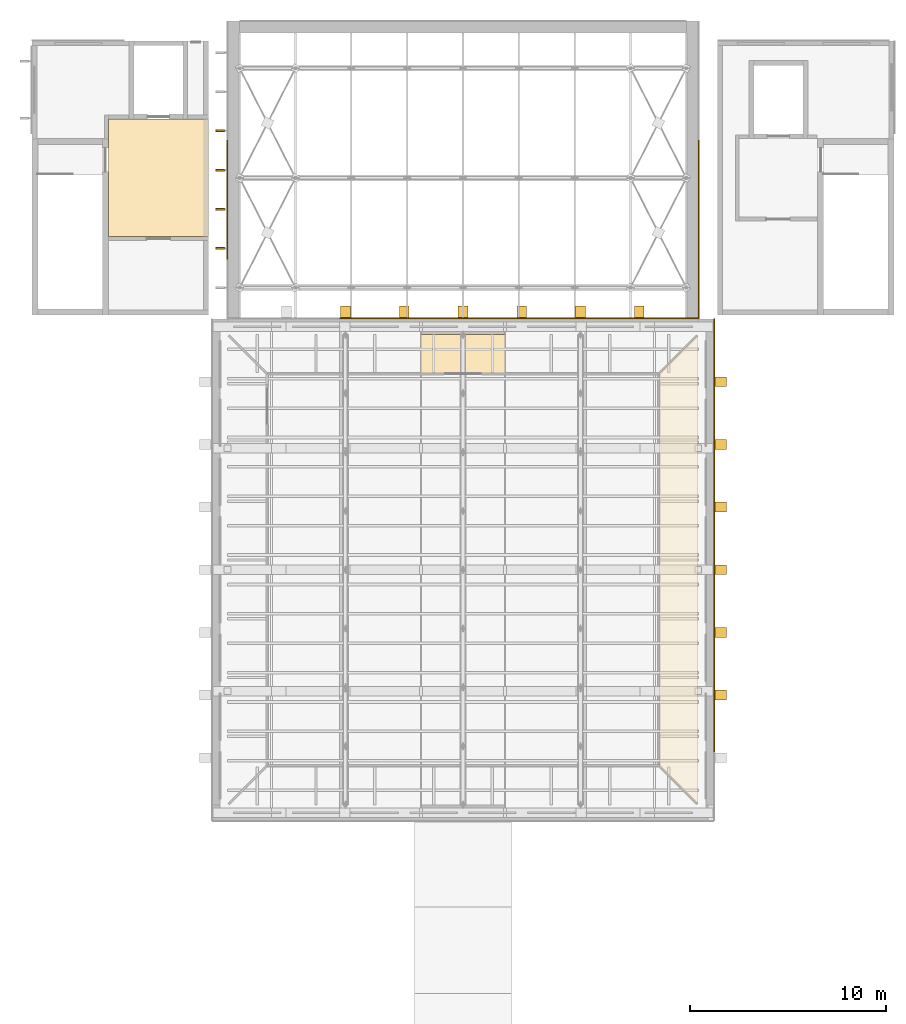
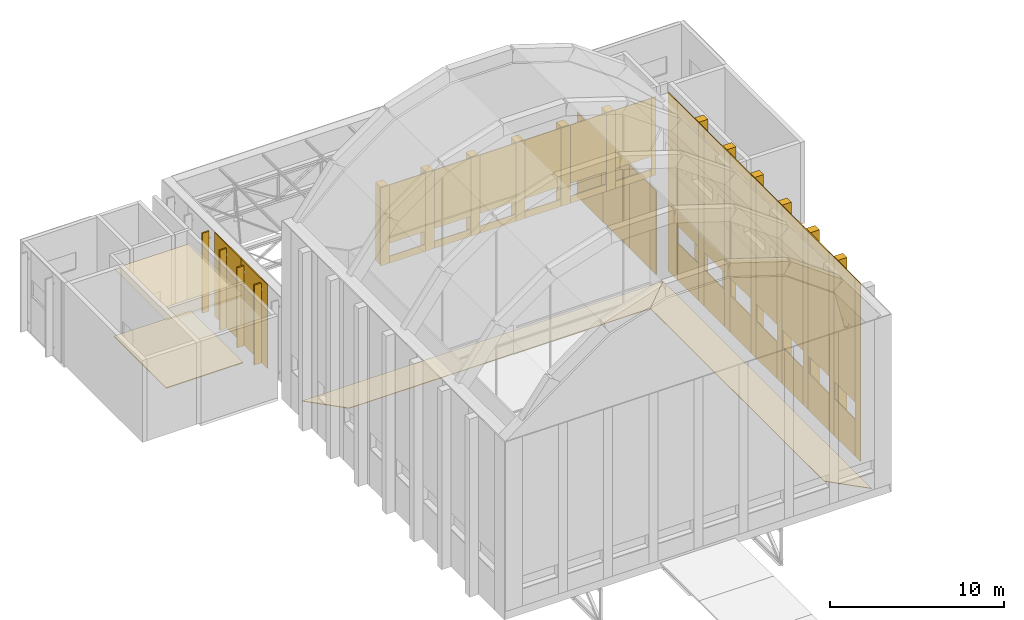
# One storey, part 54 of 55: 62 coverings, 4 shading devices.
"""IFC4 building model written with IfcOpenShell, lengths in metres."""

from ifc_helpers import new_model, si_unit, direction, frame, origin, origin_2d, place, context, subcontext, project, spatial, polyline, rectangle, outline, extrude, material, layer, layer_set, type_object, element, save


model = new_model("IFC4")

# Units and contexts
model_context = context("Model", 3, precision=1e-05, world=origin(), true_north=direction((0.0, 1.0)))
body_context = subcontext(model_context, "Body", "Model", "MODEL_VIEW")
ifc_project = project(units=[si_unit("LENGTHUNIT", "METRE"), si_unit("AREAUNIT", "SQUARE_METRE"), si_unit("VOLUMEUNIT", "CUBIC_METRE"), si_unit("PLANEANGLEUNIT", "RADIAN"), si_unit("MASSUNIT", "GRAM", prefix="KILO")], contexts=[model_context])

# Site, building, storey
site_placement = place(None, origin())
site = spatial("IfcSite", under=ifc_project, at=site_placement, CompositionType="ELEMENT")
building_placement = place(site_placement, origin())
building = spatial("IfcBuilding", under=site, at=building_placement, Name="Lunette Opera House", CompositionType="ELEMENT")
storey_placement = place(building_placement, frame((0.0, 0.0, 34.0)))
storey = spatial("IfcBuildingStorey", under=building, at=storey_placement, Name="L06", CompositionType="ELEMENT", Elevation=34.0)

# Shading devices
ifc_material_1 = material(Name="Powder-coated aluminium", Category="aluminium")
shading_device_type = type_object("IfcShadingDeviceType", Name="SOLAR FIN 100 X 450", PredefinedType="USERDEFINED", material=ifc_material_1)
for number, where, z_axis, x_axis, name in (
    (1, (83.614990234375, 124.39990234375, 0.11474609375), (0.0, 0.0, 1.0), (-1.0, 0.0, 0.0), "Solar fin ST-W090 2"),
    (2, (83.614990234375, 126.39990234375, 0.11474609375), (0.0, 0.0, 1.0), (-1.0, 0.0, 0.0), "Solar fin ST-W090 3"),
    (3, (83.614990234375, 128.39990234375, 0.11474609375), (0.0, 0.0, 1.0), (-1.0, 0.0, 0.0), "Solar fin ST-W090 4"),
    (4, (83.614990234375, 130.39990234375, 0.11474609375), (0.0, 0.0, 1.0), (-1.0, 0.0, 0.0), "Solar fin ST-W090 5"),
):
    element("IfcShadingDevice", number, at=place(storey_placement, frame(where, z_axis=z_axis, x_axis=x_axis)), inside=storey, type_object=shading_device_type, Name=name, ObjectType="SOLAR FIN", PredefinedType="USERDEFINED", context=body_context, shape_type="SweptSolid", body=[
        extrude(rectangle(XDim=0.449951171875, YDim=0.10009765625, at=origin_2d()), origin(), (0.0, 0.0, 1.0), 5.614990234375),
    ])

# Coverings
ifc_material_2 = material(Name="Aluminium standing seam cladding", Category="aluminium")
ifc_layer_1 = layer(ifc_material_2, 0.06005859375)
ifc_layer_set_1 = layer_set([ifc_layer_1], Name="Aluminium standing seam cladding")
covering_type_1 = type_object("IfcCoveringType", Name="STANDING SEAM CLADDING 60", PredefinedType="CLADDING", material=ifc_layer_set_1)
covering_1_placement = place(storey_placement, frame((108.830078125, 99.0, 0.0), z_axis=(0.0, 0.0, 1.0), x_axis=(0.0, 1.0, 0.0)))
element("IfcCovering", 5, at=covering_1_placement, inside=storey, type_object=covering_type_1, Name="Standing seam cladding WE L06 20", PredefinedType="CLADDING", context=body_context, shape_type="SweptSolid", body=[
    extrude(rectangle(XDim=0.60009765625, YDim=0.06005859375, at=origin_2d()), origin(), (0.0, 0.0, 1.0), 12.5),
])
covering_2_placement = place(storey_placement, frame((108.830078125, 100.5, 0.0), z_axis=(0.0, 0.0, 1.0), x_axis=(0.0, 1.0, 0.0)))
element("IfcCovering", 6, at=covering_2_placement, inside=storey, type_object=covering_type_1, Name="Standing seam cladding WE L06 30", PredefinedType="CLADDING", context=body_context, shape_type="SweptSolid", body=[
    extrude(rectangle(XDim=2.39990234375, YDim=0.06005859375, at=origin_2d()), origin(), (0.0, 0.0, 1.0), 2.60009765625),
])
covering_3_placement = place(storey_placement, frame((108.830078125, 100.5, 3.7998046875), z_axis=(0.0, 0.0, 1.0), x_axis=(0.0, 1.0, 0.0)))
element("IfcCovering", 7, at=covering_3_placement, inside=storey, type_object=covering_type_1, Name="Standing seam cladding WE L06 31", PredefinedType="CLADDING", context=body_context, shape_type="SweptSolid", body=[
    extrude(rectangle(XDim=2.39990234375, YDim=0.06005859375, at=origin_2d()), origin(), (0.0, 0.0, 1.0), 8.699951171875),
])
covering_4_placement = place(storey_placement, frame((108.830078125, 102.0, 0.0), z_axis=(0.0, 0.0, 1.0), x_axis=(0.0, 1.0, 0.0)))
element("IfcCovering", 8, at=covering_4_placement, inside=storey, type_object=covering_type_1, Name="Standing seam cladding WE L06 40", PredefinedType="CLADDING", context=body_context, shape_type="SweptSolid", body=[
    extrude(rectangle(XDim=0.60009765625, YDim=0.06005859375, at=origin_2d()), origin(), (0.0, 0.0, 1.0), 12.5),
])
covering_5_placement = place(storey_placement, frame((108.830078125, 103.5, 0.0), z_axis=(0.0, 0.0, 1.0), x_axis=(0.0, 1.0, 0.0)))
element("IfcCovering", 9, at=covering_5_placement, inside=storey, type_object=covering_type_1, Name="Standing seam cladding WE L06 50", PredefinedType="CLADDING", context=body_context, shape_type="SweptSolid", body=[
    extrude(rectangle(XDim=2.39990234375, YDim=0.06005859375, at=origin_2d()), origin(), (0.0, 0.0, 1.0), 2.60009765625),
])
covering_6_placement = place(storey_placement, frame((108.830078125, 103.5, 3.7998046875), z_axis=(0.0, 0.0, 1.0), x_axis=(0.0, 1.0, 0.0)))
element("IfcCovering", 10, at=covering_6_placement, inside=storey, type_object=covering_type_1, Name="Standing seam cladding WE L06 51", PredefinedType="CLADDING", context=body_context, shape_type="SweptSolid", body=[
    extrude(rectangle(XDim=2.39990234375, YDim=0.06005859375, at=origin_2d()), origin(), (0.0, 0.0, 1.0), 8.699951171875),
])
covering_7_placement = place(storey_placement, frame((108.830078125, 105.0, 0.0), z_axis=(0.0, 0.0, 1.0), x_axis=(0.0, 1.0, 0.0)))
element("IfcCovering", 11, at=covering_7_placement, inside=storey, type_object=covering_type_1, Name="Standing seam cladding WE L06 60", PredefinedType="CLADDING", context=body_context, shape_type="SweptSolid", body=[
    extrude(rectangle(XDim=0.60009765625, YDim=0.06005859375, at=origin_2d()), origin(), (0.0, 0.0, 1.0), 12.5),
])
covering_8_placement = place(storey_placement, frame((108.830078125, 106.5, 0.0), z_axis=(0.0, 0.0, 1.0), x_axis=(0.0, 1.0, 0.0)))
element("IfcCovering", 12, at=covering_8_placement, inside=storey, type_object=covering_type_1, Name="Standing seam cladding WE L06 70", PredefinedType="CLADDING", context=body_context, shape_type="SweptSolid", body=[
    extrude(rectangle(XDim=2.39990234375, YDim=0.06005859375, at=origin_2d()), origin(), (0.0, 0.0, 1.0), 2.60009765625),
])
covering_9_placement = place(storey_placement, frame((108.830078125, 106.5, 3.7998046875), z_axis=(0.0, 0.0, 1.0), x_axis=(0.0, 1.0, 0.0)))
element("IfcCovering", 13, at=covering_9_placement, inside=storey, type_object=covering_type_1, Name="Standing seam cladding WE L06 71", PredefinedType="CLADDING", context=body_context, shape_type="SweptSolid", body=[
    extrude(rectangle(XDim=2.39990234375, YDim=0.06005859375, at=origin_2d()), origin(), (0.0, 0.0, 1.0), 8.699951171875),
])
covering_10_placement = place(storey_placement, frame((108.830078125, 108.0, 0.0), z_axis=(0.0, 0.0, 1.0), x_axis=(0.0, 1.0, 0.0)))
element("IfcCovering", 14, at=covering_10_placement, inside=storey, type_object=covering_type_1, Name="Standing seam cladding WE L06 80", PredefinedType="CLADDING", context=body_context, shape_type="SweptSolid", body=[
    extrude(rectangle(XDim=0.60009765625, YDim=0.06005859375, at=origin_2d()), origin(), (0.0, 0.0, 1.0), 12.5),
])
covering_11_placement = place(storey_placement, frame((108.830078125, 109.5, 0.0), z_axis=(0.0, 0.0, 1.0), x_axis=(0.0, 1.0, 0.0)))
element("IfcCovering", 15, at=covering_11_placement, inside=storey, type_object=covering_type_1, Name="Standing seam cladding WE L06 90", PredefinedType="CLADDING", context=body_context, shape_type="SweptSolid", body=[
    extrude(rectangle(XDim=2.39990234375, YDim=0.06005859375, at=origin_2d()), origin(), (0.0, 0.0, 1.0), 2.60009765625),
])
covering_12_placement = place(storey_placement, frame((108.830078125, 109.5, 3.7998046875), z_axis=(0.0, 0.0, 1.0), x_axis=(0.0, 1.0, 0.0)))
element("IfcCovering", 16, at=covering_12_placement, inside=storey, type_object=covering_type_1, Name="Standing seam cladding WE L06 91", PredefinedType="CLADDING", context=body_context, shape_type="SweptSolid", body=[
    extrude(rectangle(XDim=2.39990234375, YDim=0.06005859375, at=origin_2d()), origin(), (0.0, 0.0, 1.0), 8.699951171875),
])
covering_13_placement = place(storey_placement, frame((108.830078125, 111.0, 0.0), z_axis=(0.0, 0.0, 1.0), x_axis=(0.0, 1.0, 0.0)))
element("IfcCovering", 17, at=covering_13_placement, inside=storey, type_object=covering_type_1, Name="Standing seam cladding WE L06 100", PredefinedType="CLADDING", context=body_context, shape_type="SweptSolid", body=[
    extrude(rectangle(XDim=0.60009765625, YDim=0.06005859375, at=origin_2d()), origin(), (0.0, 0.0, 1.0), 12.5),
])
covering_14_placement = place(storey_placement, frame((108.830078125, 112.5, 0.0), z_axis=(0.0, 0.0, 1.0), x_axis=(0.0, 1.0, 0.0)))
element("IfcCovering", 18, at=covering_14_placement, inside=storey, type_object=covering_type_1, Name="Standing seam cladding WE L06 110", PredefinedType="CLADDING", context=body_context, shape_type="SweptSolid", body=[
    extrude(rectangle(XDim=2.39990234375, YDim=0.06005859375, at=origin_2d()), origin(), (0.0, 0.0, 1.0), 2.60009765625),
])
covering_15_placement = place(storey_placement, frame((108.830078125, 112.5, 3.7998046875), z_axis=(0.0, 0.0, 1.0), x_axis=(0.0, 1.0, 0.0)))
element("IfcCovering", 19, at=covering_15_placement, inside=storey, type_object=covering_type_1, Name="Standing seam cladding WE L06 111", PredefinedType="CLADDING", context=body_context, shape_type="SweptSolid", body=[
    extrude(rectangle(XDim=2.39990234375, YDim=0.06005859375, at=origin_2d()), origin(), (0.0, 0.0, 1.0), 8.699951171875),
])
covering_16_placement = place(storey_placement, frame((108.830078125, 114.0, 0.0), z_axis=(0.0, 0.0, 1.0), x_axis=(0.0, 1.0, 0.0)))
element("IfcCovering", 20, at=covering_16_placement, inside=storey, type_object=covering_type_1, Name="Standing seam cladding WE L06 120", PredefinedType="CLADDING", context=body_context, shape_type="SweptSolid", body=[
    extrude(rectangle(XDim=0.60009765625, YDim=0.06005859375, at=origin_2d()), origin(), (0.0, 0.0, 1.0), 12.5),
])
covering_17_placement = place(storey_placement, frame((108.830078125, 115.5, 0.0), z_axis=(0.0, 0.0, 1.0), x_axis=(0.0, 1.0, 0.0)))
element("IfcCovering", 21, at=covering_17_placement, inside=storey, type_object=covering_type_1, Name="Standing seam cladding WE L06 130", PredefinedType="CLADDING", context=body_context, shape_type="SweptSolid", body=[
    extrude(rectangle(XDim=2.39990234375, YDim=0.06005859375, at=origin_2d()), origin(), (0.0, 0.0, 1.0), 2.60009765625),
])
covering_18_placement = place(storey_placement, frame((108.830078125, 115.5, 3.7998046875), z_axis=(0.0, 0.0, 1.0), x_axis=(0.0, 1.0, 0.0)))
element("IfcCovering", 22, at=covering_18_placement, inside=storey, type_object=covering_type_1, Name="Standing seam cladding WE L06 131", PredefinedType="CLADDING", context=body_context, shape_type="SweptSolid", body=[
    extrude(rectangle(XDim=2.39990234375, YDim=0.06005859375, at=origin_2d()), origin(), (0.0, 0.0, 1.0), 8.699951171875),
])
covering_19_placement = place(storey_placement, frame((108.830078125, 117.0, 0.0), z_axis=(0.0, 0.0, 1.0), x_axis=(0.0, 1.0, 0.0)))
element("IfcCovering", 23, at=covering_19_placement, inside=storey, type_object=covering_type_1, Name="Standing seam cladding WE L06 140", PredefinedType="CLADDING", context=body_context, shape_type="SweptSolid", body=[
    extrude(rectangle(XDim=0.60009765625, YDim=0.06005859375, at=origin_2d()), origin(), (0.0, 0.0, 1.0), 12.5),
])
covering_20_placement = place(storey_placement, frame((108.830078125, 118.5, 0.0), z_axis=(0.0, 0.0, 1.0), x_axis=(0.0, 1.0, 0.0)))
element("IfcCovering", 24, at=covering_20_placement, inside=storey, type_object=covering_type_1, Name="Standing seam cladding WE L06 150", PredefinedType="CLADDING", context=body_context, shape_type="SweptSolid", body=[
    extrude(rectangle(XDim=2.39990234375, YDim=0.06005859375, at=origin_2d()), origin(), (0.0, 0.0, 1.0), 2.60009765625),
])
covering_21_placement = place(storey_placement, frame((108.830078125, 118.5, 3.7998046875), z_axis=(0.0, 0.0, 1.0), x_axis=(0.0, 1.0, 0.0)))
element("IfcCovering", 25, at=covering_21_placement, inside=storey, type_object=covering_type_1, Name="Standing seam cladding WE L06 151", PredefinedType="CLADDING", context=body_context, shape_type="SweptSolid", body=[
    extrude(rectangle(XDim=2.39990234375, YDim=0.06005859375, at=origin_2d()), origin(), (0.0, 0.0, 1.0), 8.699951171875),
])
covering_22_placement = place(storey_placement, frame((108.830078125, 120.25, 0.0), z_axis=(0.0, 0.0, 1.0), x_axis=(0.0, 1.0, 0.0)))
element("IfcCovering", 26, at=covering_22_placement, inside=storey, type_object=covering_type_1, Name="Standing seam cladding WE L06 160", PredefinedType="CLADDING", context=body_context, shape_type="SweptSolid", body=[
    extrude(rectangle(XDim=1.10009765625, YDim=0.06005859375, at=origin_2d()), origin(), (0.0, 0.0, 1.0), 12.5),
])
covering_23_placement = place(storey_placement, frame((90.0, 120.830078125, 7.0), z_axis=(0.0, 0.0, 1.0), x_axis=(1.0, 0.0, 0.0)))
element("IfcCovering", 27, at=covering_23_placement, inside=storey, type_object=covering_type_1, Name="Standing seam cladding WN L06 40", PredefinedType="CLADDING", context=body_context, shape_type="SweptSolid", body=[
    extrude(rectangle(XDim=0.60009765625, YDim=0.06005859375, at=origin_2d()), origin(), (0.0, 0.0, 1.0), 5.5),
])
covering_24_placement = place(storey_placement, frame((91.5, 120.830078125, 7.0), z_axis=(0.0, 0.0, 1.0), x_axis=(1.0, 0.0, 0.0)))
element("IfcCovering", 28, at=covering_24_placement, inside=storey, type_object=covering_type_1, Name="Standing seam cladding WN L06 50", PredefinedType="CLADDING", context=body_context, shape_type="SweptSolid", body=[
    extrude(rectangle(XDim=2.39990234375, YDim=0.06005859375, at=origin_2d()), origin(), (0.0, 0.0, 1.0), 0.5),
])
covering_25_placement = place(storey_placement, frame((91.5, 120.830078125, 8.39990234375), z_axis=(0.0, 0.0, 1.0), x_axis=(1.0, 0.0, 0.0)))
element("IfcCovering", 29, at=covering_25_placement, inside=storey, type_object=covering_type_1, Name="Standing seam cladding WN L06 51", PredefinedType="CLADDING", context=body_context, shape_type="SweptSolid", body=[
    extrude(rectangle(XDim=2.39990234375, YDim=0.06005859375, at=origin_2d()), origin(), (0.0, 0.0, 1.0), 4.10009765625),
])
covering_26_placement = place(storey_placement, frame((93.0, 120.830078125, 7.0), z_axis=(0.0, 0.0, 1.0), x_axis=(1.0, 0.0, 0.0)))
element("IfcCovering", 30, at=covering_26_placement, inside=storey, type_object=covering_type_1, Name="Standing seam cladding WN L06 60", PredefinedType="CLADDING", context=body_context, shape_type="SweptSolid", body=[
    extrude(rectangle(XDim=0.60009765625, YDim=0.06005859375, at=origin_2d()), origin(), (0.0, 0.0, 1.0), 5.5),
])
covering_27_placement = place(storey_placement, frame((94.5, 120.830078125, 7.0), z_axis=(0.0, 0.0, 1.0), x_axis=(1.0, 0.0, 0.0)))
element("IfcCovering", 31, at=covering_27_placement, inside=storey, type_object=covering_type_1, Name="Standing seam cladding WN L06 70", PredefinedType="CLADDING", context=body_context, shape_type="SweptSolid", body=[
    extrude(rectangle(XDim=2.39990234375, YDim=0.06005859375, at=origin_2d()), origin(), (0.0, 0.0, 1.0), 0.5),
])
covering_28_placement = place(storey_placement, frame((94.5, 120.830078125, 8.39990234375), z_axis=(0.0, 0.0, 1.0), x_axis=(1.0, 0.0, 0.0)))
element("IfcCovering", 32, at=covering_28_placement, inside=storey, type_object=covering_type_1, Name="Standing seam cladding WN L06 71", PredefinedType="CLADDING", context=body_context, shape_type="SweptSolid", body=[
    extrude(rectangle(XDim=2.39990234375, YDim=0.06005859375, at=origin_2d()), origin(), (0.0, 0.0, 1.0), 4.10009765625),
])
covering_29_placement = place(storey_placement, frame((96.0, 120.830078125, 7.0), z_axis=(0.0, 0.0, 1.0), x_axis=(1.0, 0.0, 0.0)))
element("IfcCovering", 33, at=covering_29_placement, inside=storey, type_object=covering_type_1, Name="Standing seam cladding WN L06 80", PredefinedType="CLADDING", context=body_context, shape_type="SweptSolid", body=[
    extrude(rectangle(XDim=0.60009765625, YDim=0.06005859375, at=origin_2d()), origin(), (0.0, 0.0, 1.0), 5.5),
])
covering_30_placement = place(storey_placement, frame((97.5, 120.830078125, 7.0), z_axis=(0.0, 0.0, 1.0), x_axis=(1.0, 0.0, 0.0)))
element("IfcCovering", 34, at=covering_30_placement, inside=storey, type_object=covering_type_1, Name="Standing seam cladding WN L06 90", PredefinedType="CLADDING", context=body_context, shape_type="SweptSolid", body=[
    extrude(rectangle(XDim=2.39990234375, YDim=0.06005859375, at=origin_2d()), origin(), (0.0, 0.0, 1.0), 0.5),
])
covering_31_placement = place(storey_placement, frame((97.5, 120.830078125, 8.39990234375), z_axis=(0.0, 0.0, 1.0), x_axis=(1.0, 0.0, 0.0)))
element("IfcCovering", 35, at=covering_31_placement, inside=storey, type_object=covering_type_1, Name="Standing seam cladding WN L06 91", PredefinedType="CLADDING", context=body_context, shape_type="SweptSolid", body=[
    extrude(rectangle(XDim=2.39990234375, YDim=0.06005859375, at=origin_2d()), origin(), (0.0, 0.0, 1.0), 4.10009765625),
])
covering_32_placement = place(storey_placement, frame((99.0, 120.830078125, 7.0), z_axis=(0.0, 0.0, 1.0), x_axis=(1.0, 0.0, 0.0)))
element("IfcCovering", 36, at=covering_32_placement, inside=storey, type_object=covering_type_1, Name="Standing seam cladding WN L06 100", PredefinedType="CLADDING", context=body_context, shape_type="SweptSolid", body=[
    extrude(rectangle(XDim=0.60009765625, YDim=0.06005859375, at=origin_2d()), origin(), (0.0, 0.0, 1.0), 5.5),
])
covering_33_placement = place(storey_placement, frame((100.5, 120.830078125, 7.0), z_axis=(0.0, 0.0, 1.0), x_axis=(1.0, 0.0, 0.0)))
element("IfcCovering", 37, at=covering_33_placement, inside=storey, type_object=covering_type_1, Name="Standing seam cladding WN L06 110", PredefinedType="CLADDING", context=body_context, shape_type="SweptSolid", body=[
    extrude(rectangle(XDim=2.39990234375, YDim=0.06005859375, at=origin_2d()), origin(), (0.0, 0.0, 1.0), 0.5),
])
covering_34_placement = place(storey_placement, frame((100.5, 120.830078125, 8.39990234375), z_axis=(0.0, 0.0, 1.0), x_axis=(1.0, 0.0, 0.0)))
element("IfcCovering", 38, at=covering_34_placement, inside=storey, type_object=covering_type_1, Name="Standing seam cladding WN L06 111", PredefinedType="CLADDING", context=body_context, shape_type="SweptSolid", body=[
    extrude(rectangle(XDim=2.39990234375, YDim=0.06005859375, at=origin_2d()), origin(), (0.0, 0.0, 1.0), 4.10009765625),
])
covering_35_placement = place(storey_placement, frame((102.0, 120.830078125, 7.0), z_axis=(0.0, 0.0, 1.0), x_axis=(1.0, 0.0, 0.0)))
element("IfcCovering", 39, at=covering_35_placement, inside=storey, type_object=covering_type_1, Name="Standing seam cladding WN L06 120", PredefinedType="CLADDING", context=body_context, shape_type="SweptSolid", body=[
    extrude(rectangle(XDim=0.60009765625, YDim=0.06005859375, at=origin_2d()), origin(), (0.0, 0.0, 1.0), 5.5),
])
covering_36_placement = place(storey_placement, frame((103.5, 120.830078125, 7.0), z_axis=(0.0, 0.0, 1.0), x_axis=(1.0, 0.0, 0.0)))
element("IfcCovering", 40, at=covering_36_placement, inside=storey, type_object=covering_type_1, Name="Standing seam cladding WN L06 130", PredefinedType="CLADDING", context=body_context, shape_type="SweptSolid", body=[
    extrude(rectangle(XDim=2.39990234375, YDim=0.06005859375, at=origin_2d()), origin(), (0.0, 0.0, 1.0), 0.5),
])
covering_37_placement = place(storey_placement, frame((103.5, 120.830078125, 8.39990234375), z_axis=(0.0, 0.0, 1.0), x_axis=(1.0, 0.0, 0.0)))
element("IfcCovering", 41, at=covering_37_placement, inside=storey, type_object=covering_type_1, Name="Standing seam cladding WN L06 131", PredefinedType="CLADDING", context=body_context, shape_type="SweptSolid", body=[
    extrude(rectangle(XDim=2.39990234375, YDim=0.06005859375, at=origin_2d()), origin(), (0.0, 0.0, 1.0), 4.10009765625),
])
covering_38_placement = place(storey_placement, frame((105.0, 120.830078125, 7.0), z_axis=(0.0, 0.0, 1.0), x_axis=(1.0, 0.0, 0.0)))
element("IfcCovering", 42, at=covering_38_placement, inside=storey, type_object=covering_type_1, Name="Standing seam cladding WN L06 140", PredefinedType="CLADDING", context=body_context, shape_type="SweptSolid", body=[
    extrude(rectangle(XDim=0.60009765625, YDim=0.06005859375, at=origin_2d()), origin(), (0.0, 0.0, 1.0), 5.5),
])
covering_39_placement = place(storey_placement, frame((106.5, 120.830078125, 7.0), z_axis=(0.0, 0.0, 1.0), x_axis=(1.0, 0.0, 0.0)))
element("IfcCovering", 43, at=covering_39_placement, inside=storey, type_object=covering_type_1, Name="Standing seam cladding WN L06 150", PredefinedType="CLADDING", context=body_context, shape_type="SweptSolid", body=[
    extrude(rectangle(XDim=2.39990234375, YDim=0.06005859375, at=origin_2d()), origin(), (0.0, 0.0, 1.0), 0.5),
])
covering_40_placement = place(storey_placement, frame((106.5, 120.830078125, 8.39990234375), z_axis=(0.0, 0.0, 1.0), x_axis=(1.0, 0.0, 0.0)))
element("IfcCovering", 44, at=covering_40_placement, inside=storey, type_object=covering_type_1, Name="Standing seam cladding WN L06 151", PredefinedType="CLADDING", context=body_context, shape_type="SweptSolid", body=[
    extrude(rectangle(XDim=2.39990234375, YDim=0.06005859375, at=origin_2d()), origin(), (0.0, 0.0, 1.0), 4.10009765625),
])
covering_41_placement = place(storey_placement, frame((107.85009765625, 120.830078125, 7.0), z_axis=(0.0, 0.0, 1.0), x_axis=(1.0, 0.0, 0.0)))
element("IfcCovering", 45, at=covering_41_placement, inside=storey, type_object=covering_type_1, Name="Standing seam cladding WN L06 160", PredefinedType="CLADDING", context=body_context, shape_type="SweptSolid", body=[
    extrude(rectangle(XDim=0.300048828125, YDim=0.06005859375, at=origin_2d()), origin(), (0.0, 0.0, 1.0), 5.5),
])
for number, where, z_axis, x_axis, name in (
    (46, (83.969970703125, 125.360107421875, 0.0), (0.0, 0.0, 1.0), (0.0, 1.0, 0.0), "Standing seam cladding SR-W-1 L06 01"),
    (47, (83.969970703125, 128.39990234375, 0.0), (0.0, 0.0, 1.0), (0.0, 1.0, 0.0), "Standing seam cladding SR-W-1 L06 02"),
    (48, (108.030029296875, 122.320068359375, 0.0), (0.0, 0.0, 1.0), (0.0, 1.0, 0.0), "Standing seam cladding SR-E-1 L06 00"),
    (49, (108.030029296875, 125.360107421875, 0.0), (0.0, 0.0, 1.0), (0.0, 1.0, 0.0), "Standing seam cladding SR-E-1 L06 01"),
    (50, (108.030029296875, 128.39990234375, 0.0), (0.0, 0.0, 1.0), (0.0, 1.0, 0.0), "Standing seam cladding SR-E-1 L06 02"),
):
    element("IfcCovering", number, at=place(storey_placement, frame(where, z_axis=z_axis, x_axis=x_axis)), inside=storey, type_object=covering_type_1, Name=name, PredefinedType="CLADDING", context=body_context, shape_type="SweptSolid", body=[
        extrude(rectangle(XDim=3.0400390625, YDim=0.06005859375, at=origin_2d()), origin(), (0.0, 0.0, 1.0), 5.8798828125),
    ])
ifc_material_3 = material(Name="Mineral fibre board")
ifc_layer_2 = layer(ifc_material_3, 0.014892578125)
ifc_layer_set_2 = layer_set([ifc_layer_2], Name="Mineral fibre board")
covering_type_2 = type_object("IfcCoveringType", Name="SUSPENDED ACOUSTIC CEILING 15", PredefinedType="CEILING", material=ifc_layer_set_2)
covering_42_placement = place(storey_placement, frame((0.0, 0.0, 4.784912109375)))
element("IfcCovering", 51, at=covering_42_placement, inside=storey, type_object=covering_type_2, Name="Ceiling Lift Lobby L06 Stage Tower", PredefinedType="CEILING", context=body_context, shape_type="SweptSolid", body=[
    extrude(outline(polyline([(83.0, 125.0), (83.0, 131.0), (77.89990234375, 131.0), (77.89990234375, 125.0), (83.0, 125.0)])), origin(), (0.0, 0.0, 1.0), 0.01513671875),
])
ifc_material_4 = material(Name="Terrazzo")
ifc_layer_3 = layer(ifc_material_4, 0.06005859375)
ifc_layer_set_3 = layer_set([ifc_layer_3], Name="Terrazzo")
covering_type_3 = type_object("IfcCoveringType", Name="TERRAZZO FLOOR FINISH 60", PredefinedType="FLOORING", material=ifc_layer_set_3)
covering_43_placement = place(storey_placement, origin())
element("IfcCovering", 52, at=covering_43_placement, inside=storey, type_object=covering_type_3, Name="Floor finish Lift Lobby L06 Stage Tower", PredefinedType="FLOORING", context=body_context, shape_type="SweptSolid", body=[
    extrude(outline(polyline([(83.0, 125.0), (83.0, 131.0), (77.89990234375, 131.0), (77.89990234375, 125.0), (83.0, 125.0)])), origin(), (0.0, 0.0, 1.0), 0.06005859375),
])
ifc_material_5 = material(Name="Timber", Category="wood")
ifc_layer_4 = layer(ifc_material_5, 0.0400390625)
ifc_layer_set_4 = layer_set([ifc_layer_4], Name="Timber")
covering_type_4 = type_object("IfcCoveringType", Name="TIMBER FLOOR FINISH 40", PredefinedType="FLOORING", material=ifc_layer_set_4)
covering_44_placement = place(storey_placement, origin())
element("IfcCovering", 53, at=covering_44_placement, inside=storey, type_object=covering_type_4, Name="Floor finish Fly Gallery 34 North", PredefinedType="FLOORING", context=body_context, shape_type="SweptSolid", body=[
    extrude(outline(polyline([(106.0, 118.0), (86.0, 118.0), (84.0, 120.0), (108.0, 120.0), (106.0, 118.0)])), origin(), (0.0, 0.0, 1.0), 0.0400390625),
])
covering_45_placement = place(storey_placement, origin())
element("IfcCovering", 54, at=covering_45_placement, inside=storey, type_object=covering_type_4, Name="Floor finish Fly Gallery 34 East", PredefinedType="FLOORING", context=body_context, shape_type="SweptSolid", body=[
    extrude(outline(polyline([(106.0, 98.0), (106.0, 118.0), (108.0, 120.0), (108.0, 96.0), (106.0, 98.0)])), origin(), (0.0, 0.0, 1.0), 0.0400390625),
])
ifc_material_6 = material(Name="Weathering steel plate", Category="steel")
ifc_layer_5 = layer(ifc_material_6, 0.60009765625)
ifc_layer_set_5 = layer_set([ifc_layer_5], Name="Weathering steel plate")
covering_type_5 = type_object("IfcCoveringType", Name="TOWER RIB 500 X 600", PredefinedType="CLADDING", material=ifc_layer_set_5)
for number, where, z_axis, x_axis, name in (
    (55, (109.159912109375, 101.60009765625, 0.0), (0.0, 0.0, 1.0), (0.0, 1.0, 0.0), "Tower rib WE L06 2"),
    (56, (109.159912109375, 104.800048828125, 0.0), (0.0, 0.0, 1.0), (0.0, 1.0, 0.0), "Tower rib WE L06 3"),
    (57, (109.159912109375, 108.0, 0.0), (0.0, 0.0, 1.0), (0.0, 1.0, 0.0), "Tower rib WE L06 4"),
    (58, (109.159912109375, 111.199951171875, 0.0), (0.0, 0.0, 1.0), (0.0, 1.0, 0.0), "Tower rib WE L06 5"),
    (59, (109.159912109375, 114.39990234375, 0.0), (0.0, 0.0, 1.0), (0.0, 1.0, 0.0), "Tower rib WE L06 6"),
    (60, (109.159912109375, 117.60009765625, 0.0), (0.0, 0.0, 1.0), (0.0, 1.0, 0.0), "Tower rib WE L06 7"),
):
    element("IfcCovering", number, at=place(storey_placement, frame(where, z_axis=z_axis, x_axis=x_axis)), inside=storey, type_object=covering_type_5, Name=name, PredefinedType="CLADDING", context=body_context, shape_type="SweptSolid", body=[
        extrude(rectangle(XDim=0.5, YDim=0.60009765625, at=origin_2d()), origin(), (0.0, 0.0, 1.0), 12.5),
    ])
for number, where, z_axis, x_axis, name in (
    (61, (90.0, 121.159912109375, 7.0), (0.0, 0.0, 1.0), (1.0, 0.0, 0.0), "Tower rib WN L06 2"),
    (62, (93.0, 121.159912109375, 7.0), (0.0, 0.0, 1.0), (1.0, 0.0, 0.0), "Tower rib WN L06 3"),
    (63, (96.0, 121.159912109375, 7.0), (0.0, 0.0, 1.0), (1.0, 0.0, 0.0), "Tower rib WN L06 4"),
    (64, (99.0, 121.159912109375, 7.0), (0.0, 0.0, 1.0), (1.0, 0.0, 0.0), "Tower rib WN L06 5"),
    (65, (102.0, 121.159912109375, 7.0), (0.0, 0.0, 1.0), (1.0, 0.0, 0.0), "Tower rib WN L06 6"),
    (66, (105.0, 121.159912109375, 7.0), (0.0, 0.0, 1.0), (1.0, 0.0, 0.0), "Tower rib WN L06 7"),
):
    element("IfcCovering", number, at=place(storey_placement, frame(where, z_axis=z_axis, x_axis=x_axis)), inside=storey, type_object=covering_type_5, Name=name, PredefinedType="CLADDING", context=body_context, shape_type="SweptSolid", body=[
        extrude(rectangle(XDim=0.5, YDim=0.60009765625, at=origin_2d()), origin(), (0.0, 0.0, 1.0), 5.5),
    ])

save(model, "model.ifc")
